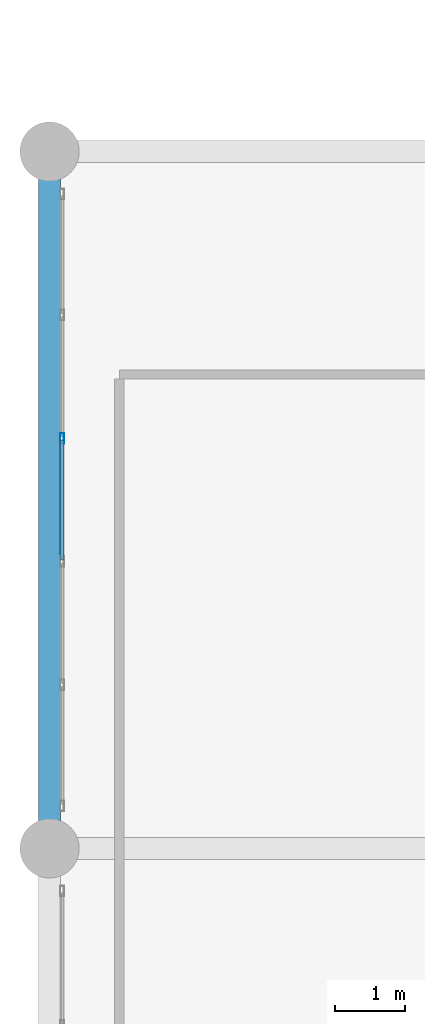
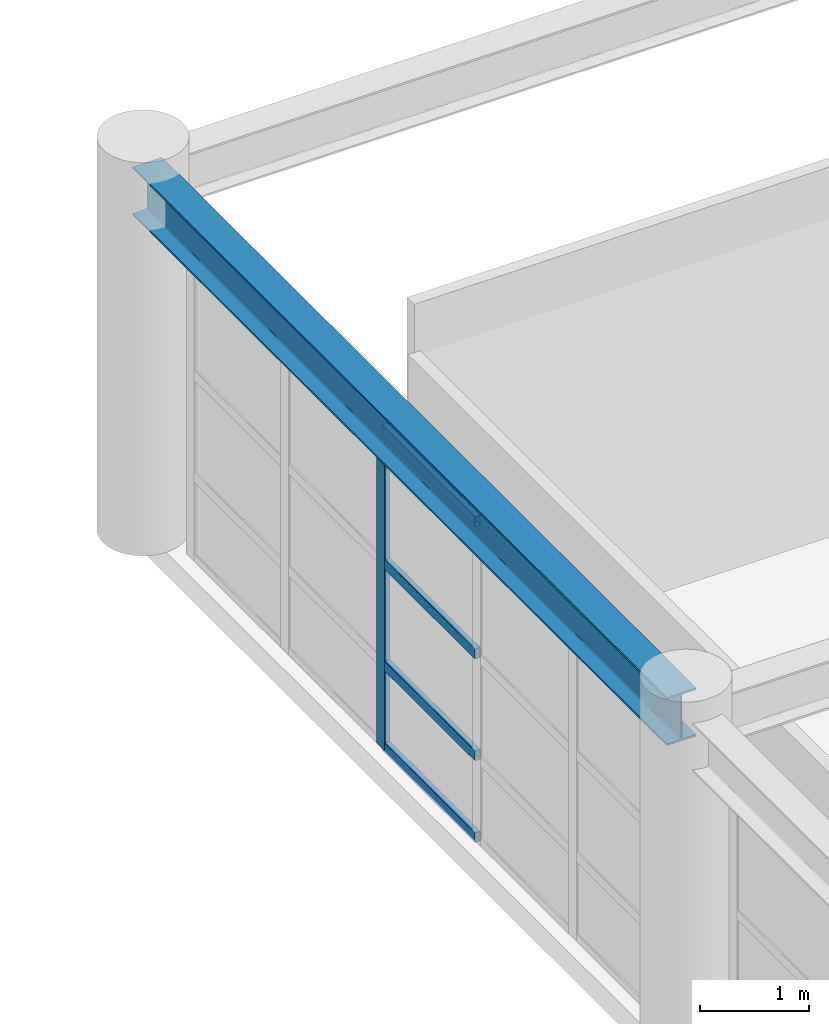
# One storey, part 21 of 133: 5 members, 1 beam, 1 element without a shape of its own.
"""IFC4 building model written with IfcOpenShell, lengths in metres."""

from ifc_helpers import new_model, si_unit, direction, frame, origin, origin_2d, place, context, subcontext, project, spatial, hollow_rectangle, i_section, extrude, material, material_profile, profile_set, type_object, element, aggregate, save


model = new_model("IFC4")

# Units and contexts
model_context = context("Model", 3, precision=1e-05, world=origin(), true_north=direction((0.0, 1.0)))
body_context = subcontext(model_context, "Body", "Model", "MODEL_VIEW")
ifc_project = project(units=[si_unit("LENGTHUNIT", "METRE"), si_unit("AREAUNIT", "SQUARE_METRE"), si_unit("VOLUMEUNIT", "CUBIC_METRE"), si_unit("PLANEANGLEUNIT", "RADIAN"), si_unit("MASSUNIT", "GRAM", prefix="KILO")], contexts=[model_context])

# Site, building, storey
site_placement = place(None, origin())
site = spatial("IfcSite", under=ifc_project, at=site_placement, CompositionType="ELEMENT")
building_placement = place(site_placement, origin())
building = spatial("IfcBuilding", under=site, at=building_placement, Name="Miravela Opera House", CompositionType="ELEMENT")
storey_placement = place(building_placement, frame((0.0, 0.0, 5.10009765625)))
storey = spatial("IfcBuildingStorey", under=building, at=storey_placement, Name="L01", CompositionType="ELEMENT", Elevation=5.10009765625)

# Curtain wall, members
ifc_material_1 = material(Name="Anodised architectural bronze aluminium 6063-T6", Category="aluminium")
curtain_wall_type = type_object("IfcCurtainWallType", Name="ARC-CW-07", PredefinedType="NOTDEFINED", material=ifc_material_1)
curtain_wall_placement = place(storey_placement, origin())
curtain_wall = element("IfcCurtainWall", 1, at=curtain_wall_placement, inside=storey, type_object=curtain_wall_type, Name="Courtyard Arcade Curtain Wall CW-L01-198", PredefinedType="NOTDEFINED")
ifc_material_profile_1 = material_profile(ifc_material_1, hollow_rectangle(XDim=0.06005859375, YDim=0.14990234375, WallThickness=0.00390625, InnerFilletRadius=0.001953125, OuterFilletRadius=0.00390625, at=origin_2d()), Name="CWM-60X150")
ifc_profile_set_1 = profile_set([ifc_material_profile_1])
member_type_1 = type_object("IfcMemberType", Name="ARC-CWM-150", PredefinedType="MULLION", material=ifc_profile_set_1)
member_1_placement = place(storey_placement, frame((0.179931640625, 23.884033203125, 0.0), z_axis=(0.0, 0.0, 1.0), x_axis=(-1.0, 0.0, 0.0)))
member_1 = element("IfcMember", 2, at=member_1_placement, type_object=member_type_1, Name="CW-07 mullion 4", PredefinedType="MULLION", context=body_context, shape_type="SweptSolid", body=[
    extrude(hollow_rectangle(XDim=0.06005859375, YDim=0.14990234375, WallThickness=0.00390625, InnerFilletRadius=0.001953125, OuterFilletRadius=0.00390625, at=origin_2d()), origin(), (0.0, 0.0, 1.0), 3.60986328125),
])
ifc_material_profile_2 = material_profile(ifc_material_1, hollow_rectangle(XDim=0.06005859375, YDim=0.114990234375, WallThickness=0.00390625, InnerFilletRadius=0.001953125, OuterFilletRadius=0.00390625, at=origin_2d()), Name="CWT-60X115")
ifc_profile_set_2 = profile_set([ifc_material_profile_2])
member_type_2 = type_object("IfcMemberType", Name="ARC-CWT-115", PredefinedType="USERDEFINED", material=ifc_profile_set_2)
member_2_placement = place(storey_placement, frame((0.179931640625, 22.14599609375, 0.02978515625), z_axis=(0.0, 1.0, 0.0), x_axis=(-1.0, 0.0, 0.0)))
member_2 = element("IfcMember", 3, at=member_2_placement, type_object=member_type_2, Name="CW-07 transom 3.1", ObjectType="TRANSOM", PredefinedType="USERDEFINED", context=body_context, shape_type="SweptSolid", body=[
    extrude(hollow_rectangle(XDim=0.06005859375, YDim=0.114990234375, WallThickness=0.00390625, InnerFilletRadius=0.001953125, OuterFilletRadius=0.00390625, at=origin_2d()), origin(), (0.0, 0.0, 1.0), 1.7080078125),
])
member_3_placement = place(storey_placement, frame((0.179931640625, 22.14599609375, 0.949951171875), z_axis=(0.0, 1.0, 0.0), x_axis=(-1.0, 0.0, 0.0)))
member_3 = element("IfcMember", 4, at=member_3_placement, type_object=member_type_2, Name="CW-07 transom 3.2", ObjectType="TRANSOM", PredefinedType="USERDEFINED", context=body_context, shape_type="SweptSolid", body=[
    extrude(hollow_rectangle(XDim=0.06005859375, YDim=0.114990234375, WallThickness=0.00390625, InnerFilletRadius=0.001953125, OuterFilletRadius=0.00390625, at=origin_2d()), origin(), (0.0, 0.0, 1.0), 1.7080078125),
])
member_4_placement = place(storey_placement, frame((0.179931640625, 22.14599609375, 2.09375), z_axis=(0.0, 1.0, 0.0), x_axis=(-1.0, 0.0, 0.0)))
member_4 = element("IfcMember", 5, at=member_4_placement, type_object=member_type_2, Name="CW-07 transom 3.3", ObjectType="TRANSOM", PredefinedType="USERDEFINED", context=body_context, shape_type="SweptSolid", body=[
    extrude(hollow_rectangle(XDim=0.06005859375, YDim=0.114990234375, WallThickness=0.00390625, InnerFilletRadius=0.001953125, OuterFilletRadius=0.00390625, at=origin_2d()), origin(), (0.0, 0.0, 1.0), 1.7080078125),
])
member_5_placement = place(storey_placement, frame((0.179931640625, 22.14599609375, 3.579833984375), z_axis=(0.0, 1.0, 0.0), x_axis=(-1.0, 0.0, 0.0)))
member_5 = element("IfcMember", 6, at=member_5_placement, type_object=member_type_2, Name="CW-07 transom 3.4", ObjectType="TRANSOM", PredefinedType="USERDEFINED", context=body_context, shape_type="SweptSolid", body=[
    extrude(hollow_rectangle(XDim=0.06005859375, YDim=0.114990234375, WallThickness=0.00390625, InnerFilletRadius=0.001953125, OuterFilletRadius=0.00390625, at=origin_2d()), origin(), (0.0, 0.0, 1.0), 1.7080078125),
])
aggregate(curtain_wall, [member_1, member_2, member_3, member_4, member_5])

# Beam
ifc_material_2 = material(Name="Structural steel ASTM A992 Gr. 50", Category="steel")
ifc_material_profile_3 = material_profile(ifc_material_2, i_section(OverallWidth=0.31201171875, OverallDepth=0.54296875, WebThickness=0.0126953125, FlangeThickness=0.020263671875, FilletRadius=0.01611328125, at=origin_2d()), Name="W530X150")
ifc_profile_set_3 = profile_set([ifc_material_profile_3])
beam_type = type_object("IfcBeamType", Name="STR-BM-W530X150", PredefinedType="BEAM", material=ifc_profile_set_3)
beam_placement = place(storey_placement, frame((0.0, 18.080078125, 3.908447265625), z_axis=(0.0, 1.0, 0.0), x_axis=(-1.0, 0.0, 0.0)))
element("IfcBeam", 7, at=beam_placement, inside=storey, type_object=beam_type, Name="Roof Eave Girder ROOF-V5-SOUTH W3", PredefinedType="BEAM", context=body_context, shape_type="SweptSolid", body=[
    extrude(i_section(OverallWidth=0.31201171875, OverallDepth=0.54296875, WebThickness=0.0126953125, FlangeThickness=0.020263671875, FilletRadius=0.01611328125, at=origin_2d()), origin(), (0.0, 0.0, 1.0), 9.83984375),
])

save(model, "model.ifc")
